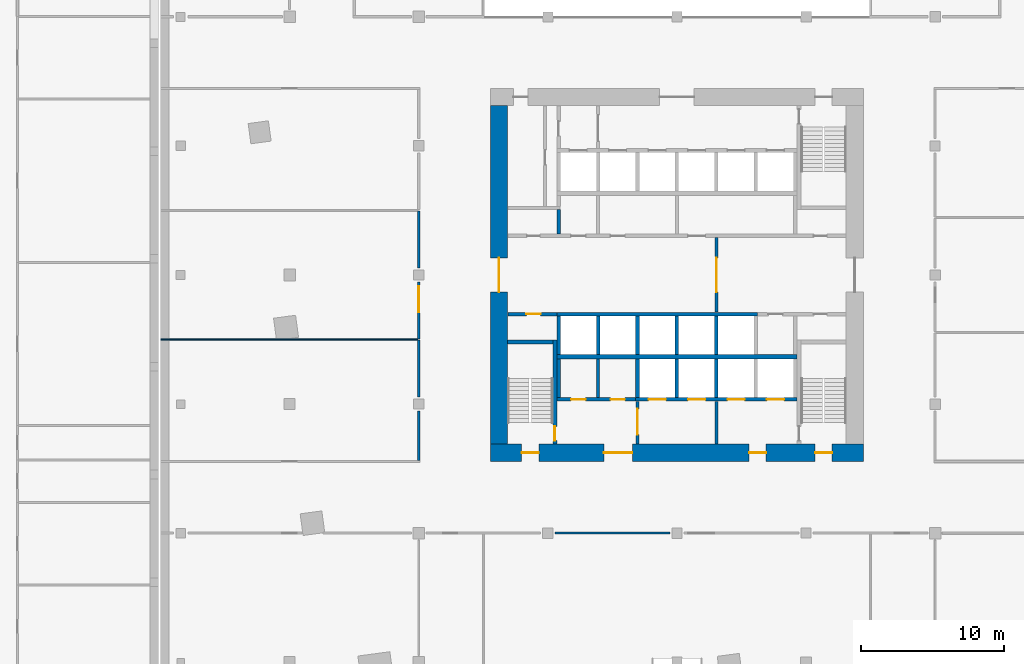
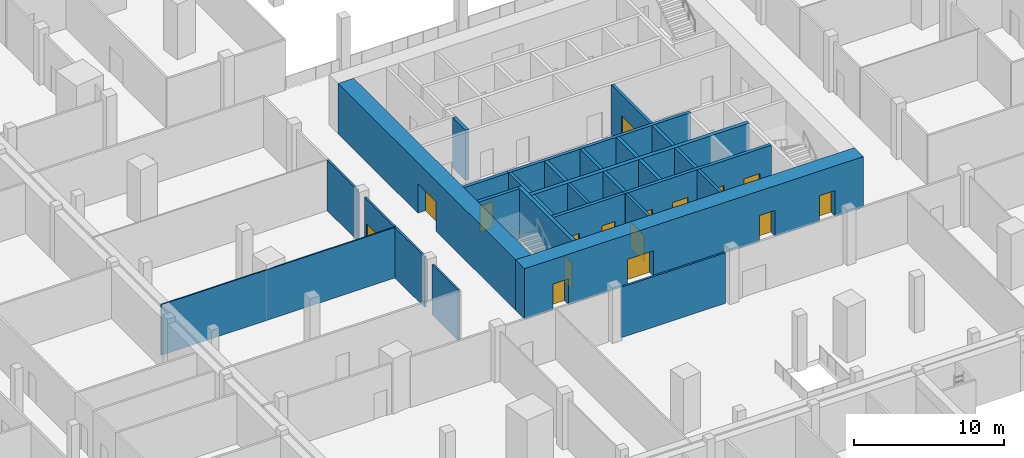
# One storey, part 12 of 27: 29 walls, 16 doors, 16 openings.
"""IFC4 building model written with IfcOpenShell, lengths in metres."""

from ifc_helpers import new_model, si_unit, direction, frame, frame_2d, origin, place, context, subcontext, project, spatial, rectangle, extrude, material, layer, layer_set, type_object, element, fill, save


model = new_model("IFC4")

# Units and contexts
model_context = context("Model", 3, precision=1e-05, world=origin(), true_north=direction((0.0, 1.0)))
body_context = subcontext(model_context, "Body", "Model", "MODEL_VIEW")
ifc_project = project(units=[si_unit("LENGTHUNIT", "METRE"), si_unit("AREAUNIT", "SQUARE_METRE"), si_unit("VOLUMEUNIT", "CUBIC_METRE"), si_unit("PLANEANGLEUNIT", "RADIAN"), si_unit("MASSUNIT", "GRAM", prefix="KILO")], contexts=[model_context])

# Site, building, storey
site_placement = place(None, origin())
site = spatial("IfcSite", under=ifc_project, at=site_placement, CompositionType="ELEMENT")
building_placement = place(site_placement, origin())
building = spatial("IfcBuilding", under=site, at=building_placement, Name="Dilmun Exchange Tower", CompositionType="ELEMENT")
storey_placement = place(building_placement, frame((0.0, 0.0, 4.5)))
storey = spatial("IfcBuildingStorey", under=building, at=storey_placement, Name="L01", CompositionType="ELEMENT", Elevation=4.5)

# Wall, opening, door
ifc_material_1 = material(Name="Concrete C40/50", Category="concrete")
ifc_layer_1 = layer(ifc_material_1, 0.199951171875)
ifc_layer_set_1 = layer_set([ifc_layer_1], Name="Concrete C40/50")
wall_type_1 = type_object("IfcWallType", Name="Core partition wall 200", PredefinedType="PARTITIONING", material=ifc_layer_set_1)
wall_1_placement = place(storey_placement, frame((-2.75, -11.794921875, 0.0), z_axis=(0.0, 0.0, 1.0), x_axis=(0.0, 1.0, 0.0)))
wall_1 = element("IfcWall", 1, at=wall_1_placement, inside=storey, type_object=wall_type_1, Name="L01 core partition wall 01", PredefinedType="PARTITIONING", context=body_context, shape_type="SweptSolid", body=[
    extrude(rectangle(XDim=2.989990234375, YDim=0.199951171875, at=frame_2d((1.4951171875, 0.0))), origin(), (0.0, 0.0, 1.0), 4.10009765625),
])
opening_1_placement = place(wall_1_placement, frame((0.657470703125, 0.0, 0.0)))
opening_1 = element("IfcOpeningElement", 2, at=opening_1_placement, cuts=wall_1, Name="Opening CD5", PredefinedType="OPENING", context=body_context, shape_type="SweptSolid", body=[
    extrude(rectangle(XDim=1.800048828125, YDim=2.10009765625, at=frame_2d((0.89990234375, 1.050048828125))), frame((0.0, 0.10986328125, 0.0), z_axis=(0.0, -1.0, 0.0), x_axis=(1.0, 0.0, 0.0)), (0.0, 0.0, 1.0), 0.219970703125),
])
ifc_material_2 = material(Name="Fire-rated steel door set", Category="steel")
door_type_1 = type_object("IfcDoorType", Name="Stair exit door 1800x2100", OperationType="SINGLE_SWING_LEFT", PredefinedType="DOOR", material=ifc_material_2)
door_1_placement = place(opening_1_placement, origin())
door_1 = element("IfcDoor", 3, at=door_1_placement, inside=storey, type_object=door_type_1, Name="L01 door Service lobby east", OperationType="SINGLE_SWING_LEFT", OverallHeight=2.10009765625, OverallWidth=1.800048828125, PredefinedType="DOOR", context=body_context, shape_type="SweptSolid", body=[
    extrude(rectangle(XDim=1.800048828125, YDim=2.10009765625, at=frame_2d((0.89990234375, 1.050048828125))), frame((0.0, 0.02490234375, 0.0), z_axis=(0.0, -1.0, 0.0), x_axis=(1.0, 0.0, 0.0)), (0.0, 0.0, 1.0), 0.050048828125),
])
fill(opening_1, door_1)

# Walls
wall_2_placement = place(storey_placement, frame((2.75, -11.794921875, 0.0), z_axis=(0.0, 0.0, 1.0), x_axis=(0.0, 1.0, 0.0)))
element("IfcWall", 4, at=wall_2_placement, inside=storey, type_object=wall_type_1, Name="L01 core partition wall 02", PredefinedType="PARTITIONING", context=body_context, shape_type="SweptSolid", body=[
    extrude(rectangle(XDim=2.989990234375, YDim=0.199951171875, at=frame_2d((1.4951171875, 0.0))), origin(), (0.0, 0.0, 1.0), 4.10009765625),
])
wall_3_placement = place(storey_placement, frame((-5.5, -8.544921875, 0.0), z_axis=(0.0, 0.0, 1.0), x_axis=(0.0, 1.0, 0.0)))
element("IfcWall", 5, at=wall_3_placement, inside=storey, type_object=wall_type_1, Name="L01 core partition wall 05", PredefinedType="PARTITIONING", context=body_context, shape_type="SweptSolid", body=[
    extrude(rectangle(XDim=2.68994140625, YDim=0.199951171875, at=frame_2d((1.344970703125, 0.0))), origin(), (0.0, 0.0, 1.0), 4.10009765625),
])

# Wall, opening, door
wall_4_placement = place(storey_placement, frame((2.75, -2.594970703125, 0.0), z_axis=(0.0, 0.0, 1.0), x_axis=(0.0, 1.0, 0.0)))
wall_4 = element("IfcWall", 6, at=wall_4_placement, inside=storey, type_object=wall_type_1, Name="L01 core partition wall 09", PredefinedType="PARTITIONING", context=body_context, shape_type="SweptSolid", body=[
    extrude(rectangle(XDim=5.18994140625, YDim=0.199951171875, at=frame_2d((2.594970703125, 0.0))), origin(), (0.0, 0.0, 1.0), 4.10009765625),
])
opening_2_placement = place(wall_4_placement, frame((1.39501953125, 0.0, 0.0)))
opening_2 = element("IfcOpeningElement", 7, at=opening_2_placement, cuts=wall_4, Name="Opening CD1", PredefinedType="OPENING", context=body_context, shape_type="SweptSolid", body=[
    extrude(rectangle(XDim=2.39990234375, YDim=2.39990234375, at=frame_2d((1.199951171875, 1.199951171875))), frame((0.0, 0.10986328125, 0.0), z_axis=(0.0, -1.0, 0.0), x_axis=(1.0, 0.0, 0.0)), (0.0, 0.0, 1.0), 0.219970703125),
])
door_type_2 = type_object("IfcDoorType", Name="Core lobby door 2400x2400", OperationType="DOUBLE_DOOR_DOUBLE_SWING", PredefinedType="DOOR", material=ifc_material_2)
door_2_placement = place(opening_2_placement, origin())
door_2 = element("IfcDoor", 8, at=door_2_placement, inside=storey, type_object=door_type_2, Name="L01 door Lift lobby east", OperationType="DOUBLE_DOOR_DOUBLE_SWING", OverallHeight=2.39990234375, OverallWidth=2.39990234375, PredefinedType="DOOR", context=body_context, shape_type="SweptSolid", body=[
    extrude(rectangle(XDim=2.39990234375, YDim=2.39990234375, at=frame_2d((1.199951171875, 1.199951171875))), frame((0.0, 0.02490234375, 0.0), z_axis=(0.0, -1.0, 0.0), x_axis=(1.0, 0.0, 0.0)), (0.0, 0.0, 1.0), 0.050048828125),
])
fill(opening_2, door_2)

# Wall, openings, doors
ifc_layer_2 = layer(ifc_material_1, 0.25)
ifc_layer_set_2 = layer_set([ifc_layer_2], Name="Concrete C40/50")
wall_type_2 = type_object("IfcWallType", Name="Core partition wall 250", PredefinedType="PARTITIONING", material=ifc_layer_set_2)
wall_5_placement = place(storey_placement, frame((-8.3701171875, -8.675048828125, 0.0), z_axis=(0.0, 0.0, 1.0), x_axis=(1.0, 0.0, 0.0)))
wall_5 = element("IfcWall", 9, at=wall_5_placement, inside=storey, type_object=wall_type_2, Name="L01 core partition wall 03", PredefinedType="PARTITIONING", context=body_context, shape_type="SweptSolid", body=[
    extrude(rectangle(XDim=5.490234375, YDim=0.25, at=frame_2d((2.7451171875, 0.0))), origin(), (0.0, 0.0, 1.0), 4.10009765625),
])
opening_3_placement = place(wall_5_placement, frame((0.9951171875, 0.0, 0.0)))
opening_3 = element("IfcOpeningElement", 10, at=opening_3_placement, cuts=wall_5, Name="Opening CD4", PredefinedType="OPENING", context=body_context, shape_type="SweptSolid", body=[
    extrude(rectangle(XDim=1.0, YDim=2.10009765625, at=frame_2d((0.5, 1.050048828125))), frame((0.0, 0.135009765625, 0.0), z_axis=(0.0, -1.0, 0.0), x_axis=(1.0, 0.0, 0.0)), (0.0, 0.0, 1.0), 0.27001953125),
])
opening_4_placement = place(wall_5_placement, frame((3.7451171875, 0.0, 0.0)))
opening_4 = element("IfcOpeningElement", 11, at=opening_4_placement, cuts=wall_5, Name="Opening CD4", PredefinedType="OPENING", context=body_context, shape_type="SweptSolid", body=[
    extrude(rectangle(XDim=1.0, YDim=2.10009765625, at=frame_2d((0.5, 1.050048828125))), frame((0.0, 0.135009765625, 0.0), z_axis=(0.0, -1.0, 0.0), x_axis=(1.0, 0.0, 0.0)), (0.0, 0.0, 1.0), 0.27001953125),
])
door_type_3 = type_object("IfcDoorType", Name="Core room door 1000x2100", OperationType="SINGLE_SWING_LEFT", PredefinedType="DOOR", material=ifc_material_2)
door_3_placement = place(opening_3_placement, origin())
door_3 = element("IfcDoor", 12, at=door_3_placement, inside=storey, type_object=door_type_3, Name="L01 door Male WC", OperationType="SINGLE_SWING_RIGHT", OverallHeight=2.10009765625, OverallWidth=1.0, PredefinedType="DOOR", context=body_context, shape_type="SweptSolid", body=[
    extrude(rectangle(XDim=1.0, YDim=2.10009765625, at=frame_2d((0.5, 1.050048828125))), frame((0.0, 0.02490234375, 0.0), z_axis=(0.0, -1.0, 0.0), x_axis=(1.0, 0.0, 0.0)), (0.0, 0.0, 1.0), 0.050048828125),
])
fill(opening_3, door_3)
door_4_placement = place(opening_4_placement, origin())
door_4 = element("IfcDoor", 13, at=door_4_placement, inside=storey, type_object=door_type_3, Name="L01 door Female WC", OperationType="SINGLE_SWING_RIGHT", OverallHeight=2.10009765625, OverallWidth=1.0, PredefinedType="DOOR", context=body_context, shape_type="SweptSolid", body=[
    extrude(rectangle(XDim=1.0, YDim=2.10009765625, at=frame_2d((0.5, 1.050048828125))), frame((0.0, 0.02490234375, 0.0), z_axis=(0.0, -1.0, 0.0), x_axis=(1.0, 0.0, 0.0)), (0.0, 0.0, 1.0), 0.050048828125),
])
fill(opening_4, door_4)

# Wall
wall_6_placement = place(storey_placement, frame((-8.25, -8.544921875, 0.0), z_axis=(0.0, 0.0, 1.0), x_axis=(0.0, 1.0, 0.0)))
element("IfcWall", 14, at=wall_6_placement, inside=storey, type_object=wall_type_2, Name="L01 core partition wall 04", PredefinedType="PARTITIONING", context=body_context, shape_type="SweptSolid", body=[
    extrude(rectangle(XDim=2.68994140625, YDim=0.25, at=frame_2d((1.344970703125, 0.0))), origin(), (0.0, 0.0, 1.0), 4.10009765625),
])

# Wall, opening, door
wall_7_placement = place(storey_placement, frame((-11.794921875, -2.72509765625, 0.0), z_axis=(0.0, 0.0, 1.0), x_axis=(1.0, 0.0, 0.0)))
wall_7 = element("IfcWall", 15, at=wall_7_placement, inside=storey, type_object=wall_type_2, Name="L01 core partition wall 07", PredefinedType="PARTITIONING", context=body_context, shape_type="SweptSolid", body=[
    extrude(rectangle(XDim=3.4150390625, YDim=0.25, at=frame_2d((1.70751953125, 0.0))), origin(), (0.0, 0.0, 1.0), 4.10009765625),
])
opening_5_placement = place(wall_7_placement, frame((1.294921875, 0.0, 0.0)))
opening_5 = element("IfcOpeningElement", 16, at=opening_5_placement, cuts=wall_7, Name="Opening CD4", PredefinedType="OPENING", context=body_context, shape_type="SweptSolid", body=[
    extrude(rectangle(XDim=1.0, YDim=2.10009765625, at=frame_2d((0.5, 1.050048828125))), frame((0.0, 0.135009765625, 0.0), z_axis=(0.0, -1.0, 0.0), x_axis=(1.0, 0.0, 0.0)), (0.0, 0.0, 1.0), 0.27001953125),
])
door_5_placement = place(opening_5_placement, origin())
door_5 = element("IfcDoor", 17, at=door_5_placement, inside=storey, type_object=door_type_3, Name="L01 door Accessible WC", OperationType="SINGLE_SWING_RIGHT", OverallHeight=2.10009765625, OverallWidth=1.0, PredefinedType="DOOR", context=body_context, shape_type="SweptSolid", body=[
    extrude(rectangle(XDim=1.0, YDim=2.10009765625, at=frame_2d((0.5, 1.050048828125))), frame((0.0, 0.02490234375, 0.0), z_axis=(0.0, -1.0, 0.0), x_axis=(1.0, 0.0, 0.0)), (0.0, 0.0, 1.0), 0.050048828125),
])
fill(opening_5, door_5)

# Wall
wall_8_placement = place(storey_placement, frame((-8.25, 2.85498046875, 0.0), z_axis=(0.0, 0.0, 1.0), x_axis=(0.0, 1.0, 0.0)))
element("IfcWall", 18, at=wall_8_placement, inside=storey, type_object=wall_type_2, Name="L01 core partition wall 11", PredefinedType="PARTITIONING", context=body_context, shape_type="SweptSolid", body=[
    extrude(rectangle(XDim=1.715087890625, YDim=0.25, at=frame_2d((0.857421875, 0.0))), origin(), (0.0, 0.0, 1.0), 4.10009765625),
])

# Wall, openings, doors
ifc_material_3 = material(Name="Concrete C80/95", Category="concrete")
ifc_layer_3 = layer(ifc_material_3, 1.199951171875)
ifc_layer_set_3 = layer_set([ifc_layer_3], Name="Concrete C80/95")
wall_type_3 = type_object("IfcWallType", Name="Core shear wall 1200 Concrete C80/95", PredefinedType="SHEAR", material=ifc_layer_set_3)
wall_9_placement = place(storey_placement, frame((-13.0, -12.39990234375, 0.0), z_axis=(0.0, 0.0, 1.0), x_axis=(1.0, 0.0, 0.0)))
wall_9 = element("IfcWall", 19, at=wall_9_placement, inside=storey, type_object=wall_type_3, Name="L01 core shear wall S", PredefinedType="SHEAR", context=body_context, shape_type="SweptSolid", body=[
    extrude(rectangle(XDim=26.0, YDim=1.199951171875, at=frame_2d((13.0, 0.0))), origin(), (0.0, 0.0, 1.0), 4.10009765625),
])
opening_6_placement = place(wall_9_placement, frame((7.89990234375, 0.0, 0.0)))
opening_6 = element("IfcOpeningElement", 20, at=opening_6_placement, cuts=wall_9, Name="Opening CD2", PredefinedType="OPENING", context=body_context, shape_type="SweptSolid", body=[
    extrude(rectangle(XDim=2.0, YDim=2.10009765625, at=frame_2d((1.0, 1.050048828125))), frame((0.0, 0.60986328125, 0.0), z_axis=(0.0, -1.0, 0.0), x_axis=(1.0, 0.0, 0.0)), (0.0, 0.0, 1.0), 1.219970703125),
])
opening_7_placement = place(wall_9_placement, frame((18.02490234375, 0.0, 0.0)))
opening_7 = element("IfcOpeningElement", 21, at=opening_7_placement, cuts=wall_9, Name="Opening CD3", PredefinedType="OPENING", context=body_context, shape_type="SweptSolid", body=[
    extrude(rectangle(XDim=1.199951171875, YDim=2.10009765625, at=frame_2d((0.60009765625, 1.050048828125))), frame((0.0, 0.60986328125, 0.0), z_axis=(0.0, -1.0, 0.0), x_axis=(1.0, 0.0, 0.0)), (0.0, 0.0, 1.0), 1.219970703125),
])
opening_8_placement = place(wall_9_placement, frame((2.175048828125, 0.0, 0.0)))
opening_8 = element("IfcOpeningElement", 22, at=opening_8_placement, cuts=wall_9, Name="Opening CD3", PredefinedType="OPENING", context=body_context, shape_type="SweptSolid", body=[
    extrude(rectangle(XDim=1.199951171875, YDim=2.10009765625, at=frame_2d((0.60009765625, 1.050048828125))), frame((0.0, 0.60986328125, 0.0), z_axis=(0.0, -1.0, 0.0), x_axis=(1.0, 0.0, 0.0)), (0.0, 0.0, 1.0), 1.219970703125),
])
opening_9_placement = place(wall_9_placement, frame((22.625, 0.0, 0.0)))
opening_9 = element("IfcOpeningElement", 23, at=opening_9_placement, cuts=wall_9, Name="Opening CD3", PredefinedType="OPENING", context=body_context, shape_type="SweptSolid", body=[
    extrude(rectangle(XDim=1.199951171875, YDim=2.10009765625, at=frame_2d((0.60009765625, 1.050048828125))), frame((0.0, 0.60986328125, 0.0), z_axis=(0.0, -1.0, 0.0), x_axis=(1.0, 0.0, 0.0)), (0.0, 0.0, 1.0), 1.219970703125),
])
door_type_4 = type_object("IfcDoorType", Name="Core service door 2000x2100", OperationType="DOUBLE_DOOR_DOUBLE_SWING", PredefinedType="DOOR", material=ifc_material_2)
door_6_placement = place(opening_6_placement, origin())
door_6 = element("IfcDoor", 24, at=door_6_placement, inside=storey, type_object=door_type_4, Name="L01 door South service lobby", OperationType="SINGLE_SWING_LEFT", OverallHeight=2.10009765625, OverallWidth=2.0, PredefinedType="DOOR", context=body_context, shape_type="SweptSolid", body=[
    extrude(rectangle(XDim=2.0, YDim=2.10009765625, at=frame_2d((1.0, 1.050048828125))), frame((0.0, 0.02490234375, 0.0), z_axis=(0.0, -1.0, 0.0), x_axis=(1.0, 0.0, 0.0)), (0.0, 0.0, 1.0), 0.050048828125),
])
fill(opening_6, door_6)
door_type_5 = type_object("IfcDoorType", Name="Stair exit door 1200x2100", OperationType="SINGLE_SWING_LEFT", PredefinedType="DOOR", material=ifc_material_2)
door_7_placement = place(opening_7_placement, origin())
door_7 = element("IfcDoor", 25, at=door_7_placement, inside=storey, type_object=door_type_5, Name="L01 door Fire-fighting lobby", OperationType="SINGLE_SWING_LEFT", OverallHeight=2.10009765625, OverallWidth=1.199951171875, PredefinedType="DOOR", context=body_context, shape_type="SweptSolid", body=[
    extrude(rectangle(XDim=1.199951171875, YDim=2.10009765625, at=frame_2d((0.60009765625, 1.050048828125))), frame((0.0, 0.02490234375, 0.0), z_axis=(0.0, -1.0, 0.0), x_axis=(1.0, 0.0, 0.0)), (0.0, 0.0, 1.0), 0.050048828125),
])
fill(opening_7, door_7)
door_8_placement = place(opening_8_placement, origin())
door_8 = element("IfcDoor", 26, at=door_8_placement, inside=storey, type_object=door_type_5, Name="L01 door Stair ST2", OperationType="SINGLE_SWING_LEFT", OverallHeight=2.10009765625, OverallWidth=1.199951171875, PredefinedType="DOOR", context=body_context, shape_type="SweptSolid", body=[
    extrude(rectangle(XDim=1.199951171875, YDim=2.10009765625, at=frame_2d((0.60009765625, 1.050048828125))), frame((0.0, 0.02490234375, 0.0), z_axis=(0.0, -1.0, 0.0), x_axis=(1.0, 0.0, 0.0)), (0.0, 0.0, 1.0), 0.050048828125),
])
fill(opening_8, door_8)
door_9_placement = place(opening_9_placement, origin())
door_9 = element("IfcDoor", 27, at=door_9_placement, inside=storey, type_object=door_type_5, Name="L01 door Stair ST3", OperationType="SINGLE_SWING_LEFT", OverallHeight=2.10009765625, OverallWidth=1.199951171875, PredefinedType="DOOR", context=body_context, shape_type="SweptSolid", body=[
    extrude(rectangle(XDim=1.199951171875, YDim=2.10009765625, at=frame_2d((0.60009765625, 1.050048828125))), frame((0.0, 0.02490234375, 0.0), z_axis=(0.0, -1.0, 0.0), x_axis=(1.0, 0.0, 0.0)), (0.0, 0.0, 1.0), 0.050048828125),
])
fill(opening_9, door_9)

# Wall, opening, door
wall_10_placement = place(storey_placement, frame((-12.39990234375, -11.800048828125, 0.0), z_axis=(0.0, 0.0, 1.0), x_axis=(0.0, 1.0, 0.0)))
wall_10 = element("IfcWall", 28, at=wall_10_placement, inside=storey, type_object=wall_type_3, Name="L01 core shear wall W", PredefinedType="SHEAR", context=body_context, shape_type="SweptSolid", body=[
    extrude(rectangle(XDim=23.60009765625, YDim=1.199951171875, at=frame_2d((11.800048828125, 0.0))), origin(), (0.0, 0.0, 1.0), 4.10009765625),
])
opening_10_placement = place(wall_10_placement, frame((10.60009765625, 0.0, 0.0)))
opening_10 = element("IfcOpeningElement", 29, at=opening_10_placement, cuts=wall_10, Name="Opening CD1", PredefinedType="OPENING", context=body_context, shape_type="SweptSolid", body=[
    extrude(rectangle(XDim=2.39990234375, YDim=2.39990234375, at=frame_2d((1.199951171875, 1.199951171875))), frame((0.0, 0.60986328125, 0.0), z_axis=(0.0, -1.0, 0.0), x_axis=(1.0, 0.0, 0.0)), (0.0, 0.0, 1.0), 1.219970703125),
])
door_10_placement = place(opening_10_placement, origin())
door_10 = element("IfcDoor", 30, at=door_10_placement, inside=storey, type_object=door_type_2, Name="L01 door Central lift lobby", OperationType="SINGLE_SWING_LEFT", OverallHeight=2.39990234375, OverallWidth=2.39990234375, PredefinedType="DOOR", context=body_context, shape_type="SweptSolid", body=[
    extrude(rectangle(XDim=2.39990234375, YDim=2.39990234375, at=frame_2d((1.199951171875, 1.199951171875))), frame((0.0, 0.02490234375, 0.0), z_axis=(0.0, -1.0, 0.0), x_axis=(1.0, 0.0, 0.0)), (0.0, 0.0, 1.0), 0.050048828125),
])
fill(opening_10, door_10)

# Walls
ifc_material_4 = material(Name="Fire partition EI 60 150 gypsum")
ifc_layer_4 = layer(ifc_material_4, 0.14990234375)
ifc_layer_set_4 = layer_set([ifc_layer_4], Name="Fire partition EI 60 150 gypsum")
wall_type_4 = type_object("IfcWallType", Name="Fire partition EI 60 150 gypsum", PredefinedType="PARTITIONING", material=ifc_layer_set_4)
wall_11_placement = place(storey_placement, frame((-8.5, -18.0, 0.0), z_axis=(0.0, 0.0, 1.0), x_axis=(1.0, 0.0, 0.0)))
element("IfcWall", 31, at=wall_11_placement, inside=storey, type_object=wall_type_4, Name="L01 partition", PredefinedType="PARTITIONING", context=body_context, shape_type="SweptSolid", body=[
    extrude(rectangle(XDim=8.0, YDim=0.14990234375, at=frame_2d((4.0, 0.0))), origin(), (0.0, 0.0, 1.0), 4.10009765625),
])
wall_12_placement = place(storey_placement, frame((-18.0, -12.925048828125, 0.0), z_axis=(0.0, 0.0, 1.0), x_axis=(0.0, 1.0, 0.0)))
element("IfcWall", 32, at=wall_12_placement, inside=storey, type_object=wall_type_4, Name="L01 partition", PredefinedType="PARTITIONING", context=body_context, shape_type="SweptSolid", body=[
    extrude(rectangle(XDim=3.425048828125, YDim=0.14990234375, at=frame_2d((1.71240234375, 0.0))), origin(), (0.0, 0.0, 1.0), 4.10009765625),
])
wall_13_placement = place(storey_placement, frame((-18.0, -8.5, 0.0), z_axis=(0.0, 0.0, 1.0), x_axis=(0.0, 1.0, 0.0)))
element("IfcWall", 33, at=wall_13_placement, inside=storey, type_object=wall_type_4, Name="L01 partition", PredefinedType="PARTITIONING", context=body_context, shape_type="SweptSolid", body=[
    extrude(rectangle(XDim=3.949951171875, YDim=0.14990234375, at=frame_2d((1.97509765625, 0.0))), origin(), (0.0, 0.0, 1.0), 4.10009765625),
])

# Wall, opening, door
wall_14_placement = place(storey_placement, frame((-18.0, -4.449951171875, 0.0), z_axis=(0.0, 0.0, 1.0), x_axis=(0.0, 1.0, 0.0)))
wall_14 = element("IfcWall", 34, at=wall_14_placement, inside=storey, type_object=wall_type_4, Name="L01 partition", PredefinedType="PARTITIONING", context=body_context, shape_type="SweptSolid", body=[
    extrude(rectangle(XDim=3.949951171875, YDim=0.14990234375, at=frame_2d((1.97509765625, 0.0))), origin(), (0.0, 0.0, 1.0), 4.10009765625),
])
opening_11_placement = place(wall_14_placement, frame((1.85009765625, 0.0, 0.0)))
opening_11 = element("IfcOpeningElement", 35, at=opening_11_placement, cuts=wall_14, Name="Opening L01-D017", PredefinedType="OPENING", context=body_context, shape_type="SweptSolid", body=[
    extrude(rectangle(XDim=1.800048828125, YDim=2.10009765625, at=frame_2d((0.89990234375, 1.050048828125))), frame((0.0, 0.0849609375, 0.0), z_axis=(0.0, -1.0, 0.0), x_axis=(1.0, 0.0, 0.0)), (0.0, 0.0, 1.0), 0.169921875),
])
ifc_material_5 = material(Name="Fire door FD60 double 1800 x 2100")
door_type_6 = type_object("IfcDoorType", Name="Fire door FD60 double 1800 x 2100", OperationType="DOUBLE_DOOR_SINGLE_SWING", PredefinedType="DOOR", material=ifc_material_5)
door_11_placement = place(opening_11_placement, origin())
door_11 = element("IfcDoor", 36, at=door_11_placement, inside=storey, type_object=door_type_6, Name="L01 door L01-D017", OperationType="DOUBLE_DOOR_SINGLE_SWING", OverallHeight=2.10009765625, OverallWidth=1.800048828125, PredefinedType="DOOR", context=body_context, shape_type="SweptSolid", body=[
    extrude(rectangle(XDim=1.800048828125, YDim=2.10009765625, at=frame_2d((0.89990234375, 1.050048828125))), frame((0.0, 0.02490234375, 0.0), z_axis=(0.0, -1.0, 0.0), x_axis=(1.0, 0.0, 0.0)), (0.0, 0.0, 1.0), 0.050048828125),
])
fill(opening_11, door_11)

# Walls
wall_15_placement = place(storey_placement, frame((-18.0, 0.5, 0.0), z_axis=(0.0, 0.0, 1.0), x_axis=(0.0, 1.0, 0.0)))
element("IfcWall", 37, at=wall_15_placement, inside=storey, type_object=wall_type_4, Name="L01 partition", PredefinedType="PARTITIONING", context=body_context, shape_type="SweptSolid", body=[
    extrude(rectangle(XDim=3.949951171875, YDim=0.14990234375, at=frame_2d((1.97509765625, 0.0))), origin(), (0.0, 0.0, 1.0), 4.10009765625),
])
ifc_layer_5 = layer(ifc_material_1, 0.300048828125)
ifc_layer_set_5 = layer_set([ifc_layer_5], Name="Concrete C40/50")
wall_type_5 = type_object("IfcWallType", Name="Lift shaft shared wall 300", PredefinedType="SOLIDWALL", material=ifc_layer_set_5)
wall_16_placement = place(storey_placement, frame((-8.375, -5.699951171875, 0.0), z_axis=(0.0, 0.0, 1.0), x_axis=(1.0, 0.0, 0.0)))
element("IfcWall", 38, at=wall_16_placement, inside=storey, type_object=wall_type_5, Name="L01 lift shaft rear wall S", PredefinedType="SOLIDWALL", context=body_context, shape_type="SweptSolid", body=[
    extrude(rectangle(XDim=16.75, YDim=0.300048828125, at=frame_2d((8.375, 0.0))), origin(), (0.0, 0.0, 1.0), 4.10009765625),
])
ifc_layer_6 = layer(ifc_material_1, 0.25)
ifc_layer_set_6 = layer_set([ifc_layer_6], Name="Concrete C40/50")
wall_type_6 = type_object("IfcWallType", Name="Lift shaft wall 250", PredefinedType="SOLIDWALL", material=ifc_layer_set_6)
wall_17_placement = place(storey_placement, frame((-8.375, -2.72509765625, 0.0), z_axis=(0.0, 0.0, 1.0), x_axis=(1.0, 0.0, 0.0)))
element("IfcWall", 39, at=wall_17_placement, inside=storey, type_object=wall_type_6, Name="L01 lift shaft front wall S1", PredefinedType="SOLIDWALL", context=body_context, shape_type="SweptSolid", body=[
    extrude(rectangle(XDim=14.0, YDim=0.25, at=frame_2d((7.0, 0.0))), origin(), (0.0, 0.0, 1.0), 4.10009765625),
])
for number, where, z_axis, x_axis, name in (
    (40, (-8.25, -5.550048828125, 0.0), (0.0, 0.0, 1.0), (0.0, 1.0, 0.0), "L01 lift shaft divider S10"),
    (41, (-5.5, -5.550048828125, 0.0), (0.0, 0.0, 1.0), (0.0, 1.0, 0.0), "L01 lift shaft divider S11"),
    (42, (-2.75, -5.550048828125, 0.0), (0.0, 0.0, 1.0), (0.0, 1.0, 0.0), "L01 lift shaft divider S12"),
    (43, (0.0, -5.550048828125, 0.0), (0.0, 0.0, 1.0), (0.0, 1.0, 0.0), "L01 lift shaft divider S13"),
    (44, (2.75, -5.550048828125, 0.0), (0.0, 0.0, 1.0), (0.0, 1.0, 0.0), "L01 lift shaft divider S14"),
):
    element("IfcWall", number, at=place(storey_placement, frame(where, z_axis=z_axis, x_axis=x_axis)), inside=storey, type_object=wall_type_6, Name=name, PredefinedType="SOLIDWALL", context=body_context, shape_type="SweptSolid", body=[
        extrude(rectangle(XDim=2.699951171875, YDim=0.25, at=frame_2d((1.35009765625, 0.0))), origin(), (0.0, 0.0, 1.0), 4.10009765625),
    ])

# Wall, openings, doors
wall_18_placement = place(storey_placement, frame((-2.875, -8.675048828125, 0.0), z_axis=(0.0, 0.0, 1.0), x_axis=(1.0, 0.0, 0.0)))
wall_18 = element("IfcWall", 45, at=wall_18_placement, inside=storey, type_object=wall_type_6, Name="L01 lift shaft front wall S2", PredefinedType="SOLIDWALL", context=body_context, shape_type="SweptSolid", body=[
    extrude(rectangle(XDim=11.25, YDim=0.25, at=frame_2d((5.625, 0.0))), origin(), (0.0, 0.0, 1.0), 4.10009765625),
])
opening_12_placement = place(wall_18_placement, frame((0.89990234375, 0.0, 0.0)))
opening_12 = element("IfcOpeningElement", 46, at=opening_12_placement, cuts=wall_18, Name="Opening LD", PredefinedType="OPENING", context=body_context, shape_type="SweptSolid", body=[
    extrude(rectangle(XDim=1.199951171875, YDim=2.10009765625, at=frame_2d((0.60009765625, 1.050048828125))), frame((0.0, 0.135009765625, 0.0), z_axis=(0.0, -1.0, 0.0), x_axis=(1.0, 0.0, 0.0)), (0.0, 0.0, 1.0), 0.27001953125),
])
opening_13_placement = place(wall_18_placement, frame((3.64990234375, 0.0, 0.0)))
opening_13 = element("IfcOpeningElement", 47, at=opening_13_placement, cuts=wall_18, Name="Opening LD", PredefinedType="OPENING", context=body_context, shape_type="SweptSolid", body=[
    extrude(rectangle(XDim=1.199951171875, YDim=2.10009765625, at=frame_2d((0.60009765625, 1.050048828125))), frame((0.0, 0.135009765625, 0.0), z_axis=(0.0, -1.0, 0.0), x_axis=(1.0, 0.0, 0.0)), (0.0, 0.0, 1.0), 0.27001953125),
])
opening_14_placement = place(wall_18_placement, frame((6.39990234375, 0.0, 0.0)))
opening_14 = element("IfcOpeningElement", 48, at=opening_14_placement, cuts=wall_18, Name="Opening LD", PredefinedType="OPENING", context=body_context, shape_type="SweptSolid", body=[
    extrude(rectangle(XDim=1.199951171875, YDim=2.10009765625, at=frame_2d((0.60009765625, 1.050048828125))), frame((0.0, 0.135009765625, 0.0), z_axis=(0.0, -1.0, 0.0), x_axis=(1.0, 0.0, 0.0)), (0.0, 0.0, 1.0), 0.27001953125),
])
opening_15_placement = place(wall_18_placement, frame((9.14990234375, 0.0, 0.0)))
opening_15 = element("IfcOpeningElement", 49, at=opening_15_placement, cuts=wall_18, Name="Opening LD", PredefinedType="OPENING", context=body_context, shape_type="SweptSolid", body=[
    extrude(rectangle(XDim=1.199951171875, YDim=2.10009765625, at=frame_2d((0.60009765625, 1.050048828125))), frame((0.0, 0.135009765625, 0.0), z_axis=(0.0, -1.0, 0.0), x_axis=(1.0, 0.0, 0.0)), (0.0, 0.0, 1.0), 0.27001953125),
])
door_type_7 = type_object("IfcDoorType", Name="Lift landing door 1200x2100", OperationType="DOUBLE_DOOR_SLIDING", PredefinedType="DOOR", material=ifc_material_2)
door_12_placement = place(opening_12_placement, origin())
door_12 = element("IfcDoor", 50, at=door_12_placement, inside=storey, type_object=door_type_7, Name="L01 landing door SV1", OperationType="DOUBLE_DOOR_SLIDING", OverallHeight=2.10009765625, OverallWidth=1.199951171875, PredefinedType="DOOR", context=body_context, shape_type="SweptSolid", body=[
    extrude(rectangle(XDim=1.199951171875, YDim=2.10009765625, at=frame_2d((0.60009765625, 1.050048828125))), frame((0.0, 0.02490234375, 0.0), z_axis=(0.0, -1.0, 0.0), x_axis=(1.0, 0.0, 0.0)), (0.0, 0.0, 1.0), 0.050048828125),
])
fill(opening_12, door_12)
door_13_placement = place(opening_13_placement, origin())
door_13 = element("IfcDoor", 51, at=door_13_placement, inside=storey, type_object=door_type_7, Name="L01 landing door SV2", OperationType="DOUBLE_DOOR_SLIDING", OverallHeight=2.10009765625, OverallWidth=1.199951171875, PredefinedType="DOOR", context=body_context, shape_type="SweptSolid", body=[
    extrude(rectangle(XDim=1.199951171875, YDim=2.10009765625, at=frame_2d((0.60009765625, 1.050048828125))), frame((0.0, 0.02490234375, 0.0), z_axis=(0.0, -1.0, 0.0), x_axis=(1.0, 0.0, 0.0)), (0.0, 0.0, 1.0), 0.050048828125),
])
fill(opening_13, door_13)
door_14_placement = place(opening_14_placement, origin())
door_14 = element("IfcDoor", 52, at=door_14_placement, inside=storey, type_object=door_type_7, Name="L01 landing door FF1", OperationType="DOUBLE_DOOR_SLIDING", OverallHeight=2.10009765625, OverallWidth=1.199951171875, PredefinedType="DOOR", context=body_context, shape_type="SweptSolid", body=[
    extrude(rectangle(XDim=1.199951171875, YDim=2.10009765625, at=frame_2d((0.60009765625, 1.050048828125))), frame((0.0, 0.02490234375, 0.0), z_axis=(0.0, -1.0, 0.0), x_axis=(1.0, 0.0, 0.0)), (0.0, 0.0, 1.0), 0.050048828125),
])
fill(opening_14, door_14)
door_15_placement = place(opening_15_placement, origin())
door_15 = element("IfcDoor", 53, at=door_15_placement, inside=storey, type_object=door_type_7, Name="L01 landing door FF2", OperationType="DOUBLE_DOOR_SLIDING", OverallHeight=2.10009765625, OverallWidth=1.199951171875, PredefinedType="DOOR", context=body_context, shape_type="SweptSolid", body=[
    extrude(rectangle(XDim=1.199951171875, YDim=2.10009765625, at=frame_2d((0.60009765625, 1.050048828125))), frame((0.0, 0.02490234375, 0.0), z_axis=(0.0, -1.0, 0.0), x_axis=(1.0, 0.0, 0.0)), (0.0, 0.0, 1.0), 0.050048828125),
])
fill(opening_15, door_15)

# Walls
for number, where, z_axis, x_axis, name in (
    (54, (-2.75, -8.550048828125, 0.0), (0.0, 0.0, 1.0), (0.0, 1.0, 0.0), "L01 lift shaft divider S22"),
    (55, (0.0, -8.550048828125, 0.0), (0.0, 0.0, 1.0), (0.0, 1.0, 0.0), "L01 lift shaft divider S23"),
    (56, (2.75, -8.550048828125, 0.0), (0.0, 0.0, 1.0), (0.0, 1.0, 0.0), "L01 lift shaft divider S24"),
):
    element("IfcWall", number, at=place(storey_placement, frame(where, z_axis=z_axis, x_axis=x_axis)), inside=storey, type_object=wall_type_6, Name=name, PredefinedType="SOLIDWALL", context=body_context, shape_type="SweptSolid", body=[
        extrude(rectangle(XDim=2.699951171875, YDim=0.25, at=frame_2d((1.35009765625, 0.0))), origin(), (0.0, 0.0, 1.0), 4.10009765625),
    ])
ifc_material_6 = material(Name="Partition 100 gypsum")
ifc_layer_7 = layer(ifc_material_6, 0.10009765625)
ifc_layer_set_7 = layer_set([ifc_layer_7], Name="Partition 100 gypsum")
wall_type_7 = type_object("IfcWallType", Name="Partition 100 gypsum", PredefinedType="PARTITIONING", material=ifc_layer_set_7)
wall_19_placement = place(storey_placement, frame((-36.0, -4.5, 0.0), z_axis=(0.0, 0.0, 1.0), x_axis=(1.0, 0.0, 0.0)))
element("IfcWall", 57, at=wall_19_placement, inside=storey, type_object=wall_type_7, Name="L01 partition", PredefinedType="PARTITIONING", context=body_context, shape_type="SweptSolid", body=[
    extrude(rectangle(XDim=17.925048828125, YDim=0.10009765625, at=frame_2d((8.96240234375, 0.0))), origin(), (0.0, 0.0, 1.0), 4.10009765625),
])
ifc_layer_8 = layer(ifc_material_1, 0.25)
ifc_layer_set_8 = layer_set([ifc_layer_8], Name="Concrete C40/50")
wall_type_8 = type_object("IfcWallType", Name="Stair end wall 250", PredefinedType="SOLIDWALL", material=ifc_layer_set_8)
wall_20_placement = place(storey_placement, frame((-8.64990234375, -4.675048828125, 0.0), z_axis=(0.0, 0.0, 1.0), x_axis=(-1.0, 0.0, 0.0)))
element("IfcWall", 58, at=wall_20_placement, inside=storey, type_object=wall_type_8, Name="L01 ST2 far wall", PredefinedType="SOLIDWALL", context=body_context, shape_type="SweptSolid", body=[
    extrude(rectangle(XDim=3.150146484375, YDim=0.25, at=frame_2d((1.5751953125, 0.0))), origin(), (0.0, 0.0, 1.0), 4.10009765625),
])

# Wall, opening, door
ifc_layer_9 = layer(ifc_material_1, 0.27490234375)
ifc_layer_set_9 = layer_set([ifc_layer_9], Name="Concrete C40/50")
wall_type_9 = type_object("IfcWallType", Name="Stair wall 275", PredefinedType="SOLIDWALL", material=ifc_layer_set_9)
wall_21_placement = place(storey_placement, frame((-8.512451171875, -4.550048828125, 0.0), z_axis=(0.0, 0.0, 1.0), x_axis=(0.0, -1.0, 0.0)))
wall_21 = element("IfcWall", 59, at=wall_21_placement, inside=storey, type_object=wall_type_9, Name="L01 ST2 wall to lift block", PredefinedType="SOLIDWALL", context=body_context, shape_type="SweptSolid", body=[
    extrude(rectangle(XDim=7.25, YDim=0.27490234375, at=frame_2d((3.625, 0.0))), origin(), (0.0, 0.0, 1.0), 4.10009765625),
])
opening_16_placement = place(wall_21_placement, frame((6.0, 0.0, 0.0)))
opening_16 = element("IfcOpeningElement", 60, at=opening_16_placement, cuts=wall_21, Name="Opening CD4", PredefinedType="OPENING", context=body_context, shape_type="SweptSolid", body=[
    extrude(rectangle(XDim=1.0, YDim=2.10009765625, at=frame_2d((0.5, 1.050048828125))), frame((0.0, 0.1474609375, 0.0), z_axis=(0.0, -1.0, 0.0), x_axis=(1.0, 0.0, 0.0)), (0.0, 0.0, 1.0), 0.294921875),
])
door_16_placement = place(opening_16_placement, origin())
door_16 = element("IfcDoor", 61, at=door_16_placement, inside=storey, type_object=door_type_3, Name="L01 door ST2 from lobby", OperationType="SINGLE_SWING_LEFT", OverallHeight=2.10009765625, OverallWidth=1.0, PredefinedType="DOOR", context=body_context, shape_type="SweptSolid", body=[
    extrude(rectangle(XDim=1.0, YDim=2.10009765625, at=frame_2d((0.5, 1.050048828125))), frame((0.0, 0.02490234375, 0.0), z_axis=(0.0, -1.0, 0.0), x_axis=(1.0, 0.0, 0.0)), (0.0, 0.0, 1.0), 0.050048828125),
])
fill(opening_16, door_16)

save(model, "model.ifc")
